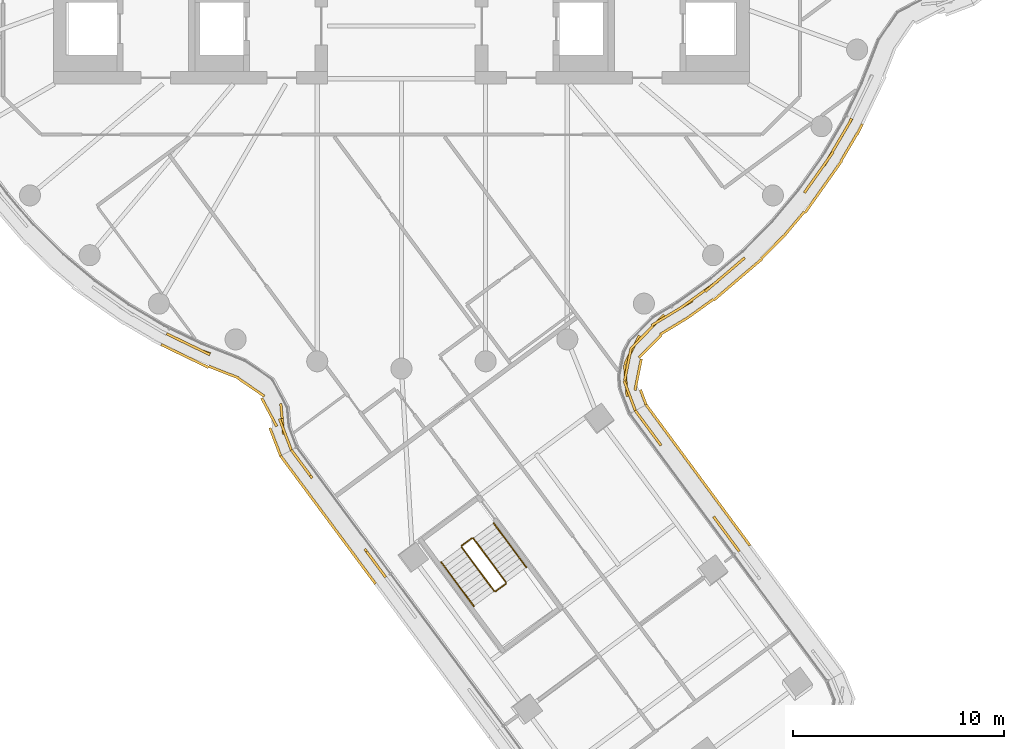
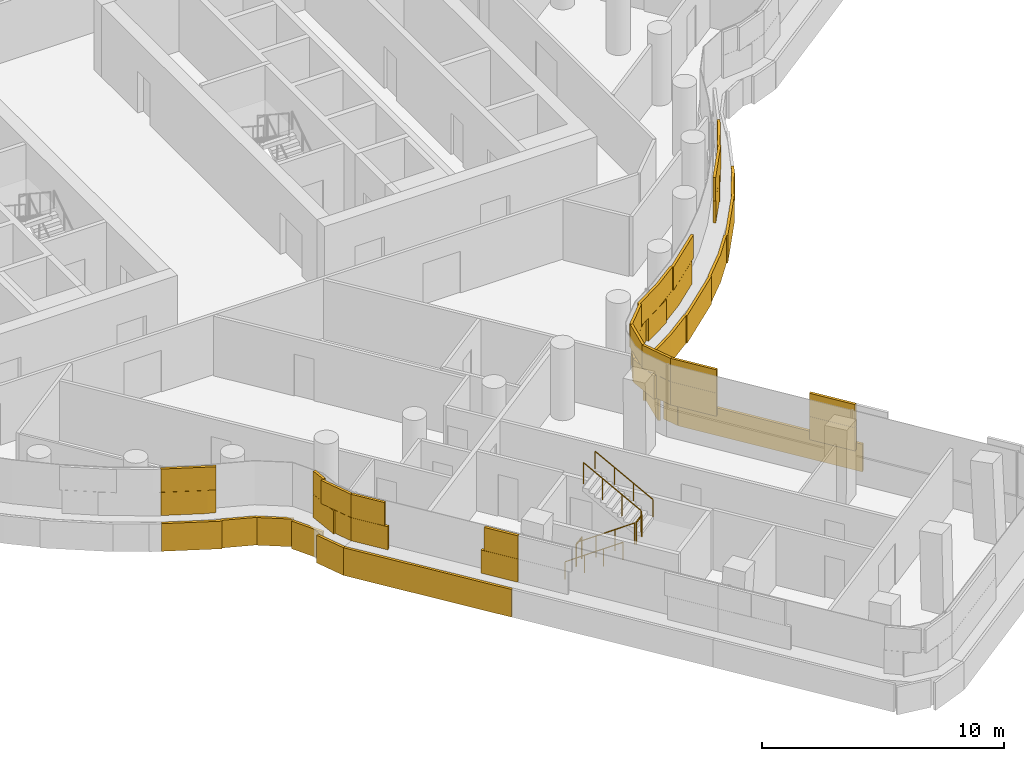
# One storey, part 27 of 32: 6 railings, 4 coverings.
"""IFC4 building model written with IfcOpenShell, lengths in metres."""

from ifc_helpers import new_model, si_unit, direction, frame, origin, origin_2d, place, context, subcontext, project, spatial, rectangle, circle, extrude, material, layer, layer_set, type_object, element, save


model = new_model("IFC4")

# Units and contexts
model_context = context("Model", 3, precision=1e-05, world=origin(), true_north=direction((0.0, 1.0)))
body_context = subcontext(model_context, "Body", "Model", "MODEL_VIEW")
ifc_project = project(units=[si_unit("LENGTHUNIT", "METRE"), si_unit("AREAUNIT", "SQUARE_METRE"), si_unit("VOLUMEUNIT", "CUBIC_METRE"), si_unit("PLANEANGLEUNIT", "RADIAN"), si_unit("MASSUNIT", "GRAM", prefix="KILO")], contexts=[model_context])

# Site, building, storey
site_placement = place(None, origin())
site = spatial("IfcSite", under=ifc_project, at=site_placement, CompositionType="ELEMENT")
building_placement = place(site_placement, origin())
building = spatial("IfcBuilding", under=site, at=building_placement, Name="Tamarind Cross Interchange Tower", CompositionType="ELEMENT")
storey_placement = place(building_placement, frame((0.0, 0.0, 166.75)))
storey = spatial("IfcBuildingStorey", under=building, at=storey_placement, Name="L41", CompositionType="ELEMENT", Elevation=166.75)

# Railings
ifc_material_1 = material(Name="Stair guard")
railing_type_1 = type_object("IfcRailingType", Name="Stair guard", PredefinedType="GUARDRAIL", material=ifc_material_1)
railing_1_placement = place(storey_placement, frame((2.85009765625, -31.465087890625, 0.17041015625)))
element("IfcRailing", 1, at=railing_1_placement, inside=storey, type_object=railing_type_1, Name="L41 ST6 stair guard 1", PredefinedType="GUARDRAIL", context=body_context, shape_type="SweptSolid", body=[
    extrude(circle(Radius=0.02392578125, at=origin_2d()), frame((0.0, 0.0, 1.076171875), z_axis=(0.498262505957, -0.671653146328, 0.548285077477), x_axis=(0.803132814244, 0.595800035821, 0.0)), (0.0, 0.0, 1.0), 3.10888671875),
    extrude(circle(Radius=0.02099609375, at=origin_2d()), origin(), (0.0, 0.0, 1.0), 1.052001953125),
    extrude(circle(Radius=0.02099609375, at=origin_2d()), frame((0.516357421875, -0.696044921875, 0.568115234375)), (0.0, 0.0, 1.0), 1.052001953125),
    extrude(circle(Radius=0.02099609375, at=origin_2d()), frame((1.03271484375, -1.39208984375, 1.136474609375)), (0.0, 0.0, 1.0), 1.052001953125),
    extrude(circle(Radius=0.02099609375, at=origin_2d()), frame((1.549072265625, -2.088134765625, 1.70458984375)), (0.0, 0.0, 1.0), 1.052001953125),
])
railing_2_placement = place(storey_placement, frame((4.46923828125, -33.563720703125, 1.875)))
element("IfcRailing", 2, at=railing_2_placement, inside=storey, type_object=railing_type_1, Name="L41 ST6 stair guard 2", PredefinedType="GUARDRAIL", context=body_context, shape_type="SweptSolid", body=[
    extrude(circle(Radius=0.02392578125, at=origin_2d()), frame((0.0, 0.0, 1.076171875), z_axis=(0.80306661219, 0.595889265204, 0.0), x_axis=(-0.595889265204, 0.80306661219, 0.0)), (0.0, 0.0, 1.0), 0.599853515625),
    extrude(circle(Radius=0.02099609375, at=origin_2d()), origin(), (0.0, 0.0, 1.0), 1.052001953125),
    extrude(circle(Radius=0.02099609375, at=origin_2d()), frame((0.481689453125, 0.357421875, 0.0)), (0.0, 0.0, 1.0), 1.052001953125),
])
railing_3_placement = place(storey_placement, frame((4.96142578125, -33.13623046875, 2.04541015625)))
element("IfcRailing", 3, at=railing_3_placement, inside=storey, type_object=railing_type_1, Name="L41 ST6 stair guard 3", PredefinedType="GUARDRAIL", context=body_context, shape_type="SweptSolid", body=[
    extrude(circle(Radius=0.02392578125, at=origin_2d()), frame((0.0, 0.0, 1.076171875), z_axis=(-0.498262505957, 0.671653146328, 0.548285077477), x_axis=(-0.803132814244, -0.595800035821, 0.0)), (0.0, 0.0, 1.0), 3.10888671875),
    extrude(circle(Radius=0.02099609375, at=origin_2d()), origin(), (0.0, 0.0, 1.0), 1.052001953125),
    extrude(circle(Radius=0.02099609375, at=origin_2d()), frame((-0.516357421875, 0.696044921875, 0.568115234375)), (0.0, 0.0, 1.0), 1.052001953125),
    extrude(circle(Radius=0.02099609375, at=origin_2d()), frame((-1.03271484375, 1.39208984375, 1.136474609375)), (0.0, 0.0, 1.0), 1.052001953125),
    extrude(circle(Radius=0.02099609375, at=origin_2d()), frame((-1.549072265625, 2.088134765625, 1.70458984375)), (0.0, 0.0, 1.0), 1.052001953125),
])
railing_4_placement = place(storey_placement, frame((2.860595703125, -31.395263671875, 0.0)))
element("IfcRailing", 4, at=railing_4_placement, inside=storey, type_object=railing_type_1, Name="L41 ST6 stair guard 4", PredefinedType="GUARDRAIL", context=body_context, shape_type="SweptSolid", body=[
    extrude(circle(Radius=0.02392578125, at=origin_2d()), frame((0.0, 0.0, 1.076171875), z_axis=(0.803211070557, 0.595694532571, 0.0), x_axis=(-0.595694532571, 0.803211070557, 0.0)), (0.0, 0.0, 1.0), 0.60009765625),
    extrude(circle(Radius=0.02099609375, at=origin_2d()), origin(), (0.0, 0.0, 1.0), 1.052001953125),
    extrude(circle(Radius=0.02099609375, at=origin_2d()), frame((0.48193359375, 0.357421875, 0.0)), (0.0, 0.0, 1.0), 1.052001953125),
])
ifc_material_2 = material(Name="Stair handrail")
railing_type_2 = type_object("IfcRailingType", Name="Stair handrail", PredefinedType="HANDRAIL", material=ifc_material_2)
railing_5_placement = place(storey_placement, frame((1.886474609375, -32.18017578125, 0.17041015625)))
element("IfcRailing", 5, at=railing_5_placement, inside=storey, type_object=railing_type_2, Name="L41 ST6 stair handrail 1", PredefinedType="HANDRAIL", context=body_context, shape_type="SweptSolid", body=[
    extrude(circle(Radius=0.02392578125, at=origin_2d()), frame((0.0, 0.0, 0.8759765625), z_axis=(0.49820347001, -0.671679426071, 0.548306530203), x_axis=(0.803177746582, 0.595739462681, 0.0)), (0.0, 0.0, 1.0), 3.10888671875),
    extrude(circle(Radius=0.02099609375, at=origin_2d()), origin(), (0.0, 0.0, 1.0), 0.851806640625),
    extrude(circle(Radius=0.02099609375, at=origin_2d()), frame((0.516357421875, -0.696044921875, 0.568115234375)), (0.0, 0.0, 1.0), 0.851806640625),
    extrude(circle(Radius=0.02099609375, at=origin_2d()), frame((1.032470703125, -1.39208984375, 1.136474609375)), (0.0, 0.0, 1.0), 0.851806640625),
    extrude(circle(Radius=0.02099609375, at=origin_2d()), frame((1.548828125, -2.088134765625, 1.70458984375)), (0.0, 0.0, 1.0), 0.851806640625),
])
railing_6_placement = place(storey_placement, frame((5.92529296875, -32.42138671875, 2.04541015625)))
element("IfcRailing", 6, at=railing_6_placement, inside=storey, type_object=railing_type_2, Name="L41 ST6 stair handrail 2", PredefinedType="HANDRAIL", context=body_context, shape_type="SweptSolid", body=[
    extrude(circle(Radius=0.02392578125, at=origin_2d()), frame((0.0, 0.0, 0.8759765625), z_axis=(-0.498262505957, 0.671653146328, 0.548285077477), x_axis=(-0.803132814244, -0.595800035821, 0.0)), (0.0, 0.0, 1.0), 3.10888671875),
    extrude(circle(Radius=0.02099609375, at=origin_2d()), origin(), (0.0, 0.0, 1.0), 0.851806640625),
    extrude(circle(Radius=0.02099609375, at=origin_2d()), frame((-0.516357421875, 0.696044921875, 0.568115234375)), (0.0, 0.0, 1.0), 0.851806640625),
    extrude(circle(Radius=0.02099609375, at=origin_2d()), frame((-1.03271484375, 1.39208984375, 1.136474609375)), (0.0, 0.0, 1.0), 0.851806640625),
    extrude(circle(Radius=0.02099609375, at=origin_2d()), frame((-1.549072265625, 2.088134765625, 1.70458984375)), (0.0, 0.0, 1.0), 0.851806640625),
])

# Coverings
ifc_material_3 = material(Name="Terracotta", Category="masonry")
ifc_layer = layer(ifc_material_3, 0.1201171875)
ifc_layer_set = layer_set([ifc_layer], Name="Terracotta")
covering_type = type_object("IfcCoveringType", Name="Terracotta baguette screen unit", PredefinedType="MOLDING", material=ifc_layer_set)
covering_1_placement = place(storey_placement, origin())
element("IfcCovering", 7, at=covering_1_placement, inside=storey, type_object=covering_type, Name="SCR-L41-10-01", PredefinedType="MOLDING", context=body_context, shape_type="SweptSolid", body=[
    extrude(rectangle(XDim=0.433349609375, YDim=0.1201171875, at=origin_2d()), frame((-10.941650390625, -21.4404296875, 1.404052734375), z_axis=(0.0, 0.0, 1.0), x_axis=(0.900272776334, -0.435326231914, 0.0)), (0.0, 0.0, 1.0), 1.1669921875),
    extrude(rectangle(XDim=1.52001953125, YDim=0.1201171875, at=origin_2d()), frame((-10.075927734375, -21.859130859375, 1.404052734375), z_axis=(0.0, 0.0, 1.0), x_axis=(0.900272776334, -0.435326231914, 0.0)), (0.0, 0.0, 1.0), 1.1669921875),
    extrude(rectangle(XDim=0.3603515625, YDim=0.1201171875, at=origin_2d()), frame((-9.2314453125, -22.2353515625, 1.404052734375), z_axis=(0.0, 0.0, 1.0), x_axis=(0.931067722103, -0.364846401733, 0.0)), (0.0, 0.0, 1.0), 1.1669921875),
    extrude(rectangle(XDim=1.45947265625, YDim=0.1201171875, at=origin_2d()), frame((-5.656005859375, -25.38720703125, 1.404052734375), z_axis=(0.0, 0.0, 1.0), x_axis=(0.090809442771, -0.995868287026, 0.0)), (0.0, 0.0, 1.0), 1.1669921875),
    extrude(rectangle(XDim=0.834228515625, YDim=0.1201171875, at=origin_2d()), frame((-5.368408203125, -26.4765625, 1.404052734375), z_axis=(0.0, 0.0, 1.0), x_axis=(0.35656006872, -0.934272399996, 0.0)), (0.0, 0.0, 1.0), 1.1669921875),
    extrude(rectangle(XDim=1.183349609375, YDim=0.1201171875, at=origin_2d()), frame((-10.60400390625, -21.603759765625, 2.5791015625), z_axis=(0.0, 0.0, 1.0), x_axis=(0.900272776334, -0.435326231914, 0.0)), (0.0, 0.0, 1.0), 1.1669921875),
    extrude(rectangle(XDim=1.1103515625, YDim=0.1201171875, at=origin_2d()), frame((-9.58056640625, -22.0986328125, 2.5791015625), z_axis=(0.0, 0.0, 1.0), x_axis=(0.900272776334, -0.435326231914, 0.0)), (0.0, 0.0, 1.0), 1.1669921875),
    extrude(rectangle(XDim=0.70947265625, YDim=0.1201171875, at=origin_2d()), frame((-5.68994140625, -25.013671875, 2.5791015625), z_axis=(0.0, 0.0, 1.0), x_axis=(0.090809442771, -0.995868287026, 0.0)), (0.0, 0.0, 1.0), 1.1669921875),
    extrude(rectangle(XDim=1.52001953125, YDim=0.1201171875, at=origin_2d()), frame((-5.515380859375, -26.091552734375, 2.5791015625), z_axis=(0.0, 0.0, 1.0), x_axis=(0.35656006872, -0.934272399996, 0.0)), (0.0, 0.0, 1.0), 1.1669921875),
    extrude(rectangle(XDim=0.084228515625, YDim=0.1201171875, at=origin_2d()), frame((-5.234619140625, -26.826904296875, 2.5791015625), z_axis=(0.0, 0.0, 1.0), x_axis=(0.35656006872, -0.934272399996, 0.0)), (0.0, 0.0, 1.0), 1.1669921875),
    extrude(rectangle(XDim=1.000732421875, YDim=0.1201171875, at=origin_2d()), frame((-10.947509765625, -22.0751953125, 0.00390625), z_axis=(0.0, 0.0, 1.0), x_axis=(0.900272776334, -0.435326231914, 0.0)), (0.0, 0.0, 1.0), 1.39208984375),
    extrude(rectangle(XDim=1.52001953125, YDim=0.1201171875, at=origin_2d()), frame((-9.830810546875, -22.615234375, 0.00390625), z_axis=(0.0, 0.0, 1.0), x_axis=(0.900272776334, -0.435326231914, 0.0)), (0.0, 0.0, 1.0), 1.39208984375),
    extrude(rectangle(XDim=1.52001953125, YDim=0.1201171875, at=origin_2d()), frame((-8.434814453125, -23.1640625, 0.00390625), z_axis=(0.0, 0.0, 1.0), x_axis=(0.931067722103, -0.364846401733, 0.0)), (0.0, 0.0, 1.0), 1.39208984375),
    extrude(rectangle(XDim=1.52001953125, YDim=0.1201171875, at=origin_2d()), frame((-7.127685546875, -23.880126953125, 0.00390625), z_axis=(0.0, 0.0, 1.0), x_axis=(0.825321175253, -0.564663579204, 0.0)), (0.0, 0.0, 1.0), 1.39208984375),
    extrude(rectangle(XDim=1.52001953125, YDim=0.1201171875, at=origin_2d()), frame((-6.27099609375, -25.068115234375, 0.00390625), z_axis=(0.0, 0.0, 1.0), x_axis=(0.469143192596, -0.883122112078, 0.0)), (0.0, 0.0, 1.0), 1.39208984375),
    extrude(rectangle(XDim=1.421630859375, YDim=0.1201171875, at=origin_2d()), frame((-5.98291015625, -26.47607421875, 0.00390625), z_axis=(0.0, 0.0, 1.0), x_axis=(0.35656006872, -0.934272399996, 0.0)), (0.0, 0.0, 1.0), 1.39208984375),
])
covering_2_placement = place(storey_placement, origin())
element("IfcCovering", 8, at=covering_2_placement, inside=storey, type_object=covering_type, Name="SCR-L41-11-00", PredefinedType="MOLDING", context=body_context, shape_type="SweptSolid", body=[
    extrude(rectangle(XDim=0.760009765625, YDim=0.1201171875, at=origin_2d()), frame((-4.998046875, -27.162841796875, 1.404052734375), z_axis=(0.0, 0.0, 1.0), x_axis=(0.595776404136, -0.803150344752, 0.0)), (0.0, 0.0, 1.0), 1.1669921875),
    extrude(rectangle(XDim=0.91064453125, YDim=0.1201171875, at=origin_2d()), frame((-4.50634765625, -27.82568359375, 1.404052734375), z_axis=(0.0, 0.0, 1.0), x_axis=(0.595776404136, -0.803150344752, 0.0)), (0.0, 0.0, 1.0), 1.1669921875),
    extrude(rectangle(XDim=0.909423828125, YDim=0.1201171875, at=origin_2d()), frame((-1.4677734375, -31.921630859375, 1.404052734375), z_axis=(0.0, 0.0, 1.0), x_axis=(0.595776404136, -0.803150344752, 0.0)), (0.0, 0.0, 1.0), 1.1669921875),
    extrude(rectangle(XDim=0.761474609375, YDim=0.1201171875, at=origin_2d()), frame((-0.97607421875, -32.584716796875, 1.404052734375), z_axis=(0.0, 0.0, 1.0), x_axis=(0.595776404136, -0.803150344752, 0.0)), (0.0, 0.0, 1.0), 1.1669921875),
    extrude(rectangle(XDim=1.510009765625, YDim=0.1201171875, at=origin_2d()), frame((-4.774658203125, -27.4638671875, 2.5791015625), z_axis=(0.0, 0.0, 1.0), x_axis=(0.595776404136, -0.803150344752, 0.0)), (0.0, 0.0, 1.0), 1.1669921875),
    extrude(rectangle(XDim=1.52001953125, YDim=0.1201171875, at=origin_2d()), frame((-1.199951171875, -32.282958984375, 2.5791015625), z_axis=(0.0, 0.0, 1.0), x_axis=(0.595776404136, -0.803150344752, 0.0)), (0.0, 0.0, 1.0), 1.1669921875),
    extrude(rectangle(XDim=0.760009765625, YDim=0.1201171875, at=origin_2d()), frame((-5.503173828125, -27.4453125, 0.00390625), z_axis=(0.0, 0.0, 1.0), x_axis=(0.595776404136, -0.803150344752, 0.0)), (0.0, 0.0, 1.0), 1.39208984375),
    extrude(rectangle(XDim=1.52001953125, YDim=0.1201171875, at=origin_2d()), frame((-4.8359375, -28.3447265625, 0.00390625), z_axis=(0.0, 0.0, 1.0), x_axis=(0.595776404136, -0.803150344752, 0.0)), (0.0, 0.0, 1.0), 1.39208984375),
    extrude(rectangle(XDim=1.52001953125, YDim=0.1201171875, at=origin_2d()), frame((-3.942138671875, -29.549560546875, 0.00390625), z_axis=(0.0, 0.0, 1.0), x_axis=(0.595776404136, -0.803150344752, 0.0)), (0.0, 0.0, 1.0), 1.39208984375),
    extrude(rectangle(XDim=1.52001953125, YDim=0.1201171875, at=origin_2d()), frame((-3.048583984375, -30.75439453125, 0.00390625), z_axis=(0.0, 0.0, 1.0), x_axis=(0.595776404136, -0.803150344752, 0.0)), (0.0, 0.0, 1.0), 1.39208984375),
    extrude(rectangle(XDim=1.52001953125, YDim=0.1201171875, at=origin_2d()), frame((-2.15478515625, -31.958984375, 0.00390625), z_axis=(0.0, 0.0, 1.0), x_axis=(0.595776404136, -0.803150344752, 0.0)), (0.0, 0.0, 1.0), 1.39208984375),
    extrude(rectangle(XDim=0.809814453125, YDim=0.1201171875, at=origin_2d()), frame((-1.47265625, -32.87841796875, 0.00390625), z_axis=(0.0, 0.0, 1.0), x_axis=(0.595776404136, -0.803150344752, 0.0)), (0.0, 0.0, 1.0), 1.39208984375),
])
covering_3_placement = place(storey_placement, origin())
element("IfcCovering", 9, at=covering_3_placement, inside=storey, type_object=covering_type, Name="SCR-L41-13-01", PredefinedType="MOLDING", context=body_context, shape_type="SweptSolid", body=[
    extrude(rectangle(XDim=0.79931640625, YDim=0.1201171875, at=origin_2d()), frame((15.788818359375, -31.35205078125, 1.404052734375), z_axis=(0.0, 0.0, 1.0), x_axis=(-0.593819308082, 0.804598427384, 0.0)), (0.0, 0.0, 1.0), 1.1669921875),
    extrude(rectangle(XDim=1.270751953125, YDim=0.1201171875, at=origin_2d()), frame((15.18017578125, -30.52734375, 1.404052734375), z_axis=(0.0, 0.0, 1.0), x_axis=(-0.593819308082, 0.804598427384, 0.0)), (0.0, 0.0, 1.0), 1.1669921875),
    extrude(rectangle(XDim=0.549072265625, YDim=0.1201171875, at=origin_2d()), frame((12.151611328125, -26.423828125, 1.404052734375), z_axis=(0.0, 0.0, 1.0), x_axis=(-0.593819308082, 0.804598427384, 0.0)), (0.0, 0.0, 1.0), 1.1669921875),
    extrude(rectangle(XDim=1.52001953125, YDim=0.1201171875, at=origin_2d()), frame((11.546142578125, -25.603515625, 1.404052734375), z_axis=(0.0, 0.0, 1.0), x_axis=(-0.593819308082, 0.804598427384, 0.0)), (0.0, 0.0, 1.0), 1.1669921875),
    extrude(rectangle(XDim=0.04931640625, YDim=0.1201171875, at=origin_2d()), frame((16.011474609375, -31.65380859375, 2.5791015625), z_axis=(0.0, 0.0, 1.0), x_axis=(-0.593819308082, 0.804598427384, 0.0)), (0.0, 0.0, 1.0), 1.1669921875),
    extrude(rectangle(XDim=1.52001953125, YDim=0.1201171875, at=origin_2d()), frame((15.554443359375, -31.03466796875, 2.5791015625), z_axis=(0.0, 0.0, 1.0), x_axis=(-0.593819308082, 0.804598427384, 0.0)), (0.0, 0.0, 1.0), 1.1669921875),
    extrude(rectangle(XDim=0.520751953125, YDim=0.1201171875, at=origin_2d()), frame((14.95751953125, -30.2255859375, 2.5791015625), z_axis=(0.0, 0.0, 1.0), x_axis=(-0.593819308082, 0.804598427384, 0.0)), (0.0, 0.0, 1.0), 1.1669921875),
    extrude(rectangle(XDim=1.299072265625, YDim=0.1201171875, at=origin_2d()), frame((11.928955078125, -26.1220703125, 2.5791015625), z_axis=(0.0, 0.0, 1.0), x_axis=(-0.593819308082, 0.804598427384, 0.0)), (0.0, 0.0, 1.0), 1.1669921875),
    extrude(rectangle(XDim=0.77099609375, YDim=0.1201171875, at=origin_2d()), frame((11.3203125, -25.29736328125, 2.5791015625), z_axis=(0.0, 0.0, 1.0), x_axis=(-0.593819308082, 0.804598427384, 0.0)), (0.0, 0.0, 1.0), 1.1669921875),
    extrude(rectangle(XDim=0.801513671875, YDim=0.1201171875, at=origin_2d()), frame((16.29296875, -31.068359375, 0.00390625), z_axis=(0.0, 0.0, 1.0), x_axis=(-0.593819308082, 0.804598427384, 0.0)), (0.0, 0.0, 1.0), 1.39208984375),
    extrude(rectangle(XDim=1.52001953125, YDim=0.1201171875, at=origin_2d()), frame((15.615478515625, -30.150390625, 0.00390625), z_axis=(0.0, 0.0, 1.0), x_axis=(-0.593819308082, 0.804598427384, 0.0)), (0.0, 0.0, 1.0), 1.39208984375),
    extrude(rectangle(XDim=1.52001953125, YDim=0.1201171875, at=origin_2d()), frame((14.724609375, -28.943603515625, 0.00390625), z_axis=(0.0, 0.0, 1.0), x_axis=(-0.593819308082, 0.804598427384, 0.0)), (0.0, 0.0, 1.0), 1.39208984375),
    extrude(rectangle(XDim=1.52001953125, YDim=0.1201171875, at=origin_2d()), frame((13.833984375, -27.736572265625, 0.00390625), z_axis=(0.0, 0.0, 1.0), x_axis=(-0.593819308082, 0.804598427384, 0.0)), (0.0, 0.0, 1.0), 1.39208984375),
    extrude(rectangle(XDim=1.52001953125, YDim=0.1201171875, at=origin_2d()), frame((12.943359375, -26.52978515625, 0.00390625), z_axis=(0.0, 0.0, 1.0), x_axis=(-0.593819308082, 0.804598427384, 0.0)), (0.0, 0.0, 1.0), 1.39208984375),
    extrude(rectangle(XDim=1.52001953125, YDim=0.1201171875, at=origin_2d()), frame((12.052490234375, -25.322998046875, 0.00390625), z_axis=(0.0, 0.0, 1.0), x_axis=(-0.593819308082, 0.804598427384, 0.0)), (0.0, 0.0, 1.0), 1.39208984375),
])
covering_4_placement = place(storey_placement, origin())
element("IfcCovering", 10, at=covering_4_placement, inside=storey, type_object=covering_type, Name="SCR-L41-14-00", PredefinedType="MOLDING", context=body_context, shape_type="SweptSolid", body=[
    extrude(rectangle(XDim=0.760009765625, YDim=0.1201171875, at=origin_2d()), frame((10.96240234375, -24.64013671875, 1.404052734375), z_axis=(0.0, 0.0, 1.0), x_axis=(-0.351921900622, 0.936029366987, 0.0)), (0.0, 0.0, 1.0), 1.1669921875),
    extrude(rectangle(XDim=1.52001953125, YDim=0.1201171875, at=origin_2d()), frame((10.646484375, -23.5693359375, 1.404052734375), z_axis=(0.0, 0.0, 1.0), x_axis=(-0.080926527852, 0.996720069573, 0.0)), (0.0, 0.0, 1.0), 1.1669921875),
    extrude(rectangle(XDim=1.52001953125, YDim=0.1201171875, at=origin_2d()), frame((10.93701171875, -22.11474609375, 1.404052734375), z_axis=(0.0, 0.0, 1.0), x_axis=(0.458406830491, 0.888742469875, 0.0)), (0.0, 0.0, 1.0), 1.1669921875),
    extrude(rectangle(XDim=1.52001953125, YDim=0.1201171875, at=origin_2d()), frame((11.919677734375, -20.99609375, 1.404052734375), z_axis=(0.0, 0.0, 1.0), x_axis=(0.703508027879, 0.710687311487, 0.0)), (0.0, 0.0, 1.0), 1.1669921875),
    extrude(rectangle(XDim=1.52001953125, YDim=0.1201171875, at=origin_2d()), frame((13.16162109375, -20.1669921875, 1.404052734375), z_axis=(0.0, 0.0, 1.0), x_axis=(0.855795607835, 0.517314099566, 0.0)), (0.0, 0.0, 1.0), 1.1669921875),
    extrude(rectangle(XDim=1.52001953125, YDim=0.1201171875, at=origin_2d()), frame((14.3837890625, -19.2978515625, 1.404052734375), z_axis=(0.0, 0.0, 1.0), x_axis=(0.811340475102, 0.584573890505, 0.0)), (0.0, 0.0, 1.0), 1.1669921875),
    extrude(rectangle(XDim=1.52001953125, YDim=0.1201171875, at=origin_2d()), frame((15.55517578125, -18.36279296875, 1.404052734375), z_axis=(0.0, 0.0, 1.0), x_axis=(0.760295606781, 0.64957723968, 0.0)), (0.0, 0.0, 1.0), 1.1669921875),
    extrude(rectangle(XDim=1.52001953125, YDim=0.1201171875, at=origin_2d()), frame((19.60302734375, -13.959716796875, 1.404052734375), z_axis=(0.0, 0.0, 1.0), x_axis=(0.577568978284, 0.816341886298, 0.0)), (0.0, 0.0, 1.0), 1.1669921875),
    extrude(rectangle(XDim=1.52001953125, YDim=0.1201171875, at=origin_2d()), frame((20.439453125, -12.7158203125, 1.404052734375), z_axis=(0.0, 0.0, 1.0), x_axis=(0.508183308752, 0.861248933065, 0.0)), (0.0, 0.0, 1.0), 1.1669921875),
    extrude(rectangle(XDim=1.086669921875, YDim=0.1201171875, at=origin_2d()), frame((21.09423828125, -11.606201171875, 1.404052734375), z_axis=(0.0, 0.0, 1.0), x_axis=(0.508183308752, 0.861248933065, 0.0)), (0.0, 0.0, 1.0), 1.1669921875),
    extrude(rectangle(XDim=1.510009765625, YDim=0.1201171875, at=origin_2d()), frame((10.830322265625, -24.2890625, 2.5791015625), z_axis=(0.0, 0.0, 1.0), x_axis=(-0.351921900622, 0.936029366987, 0.0)), (0.0, 0.0, 1.0), 1.1669921875),
    extrude(rectangle(XDim=1.52001953125, YDim=0.1201171875, at=origin_2d()), frame((10.73291015625, -22.830322265625, 2.5791015625), z_axis=(0.0, 0.0, 1.0), x_axis=(0.196310048722, 0.980541873033, 0.0)), (0.0, 0.0, 1.0), 1.1669921875),
    extrude(rectangle(XDim=1.52001953125, YDim=0.1201171875, at=origin_2d()), frame((11.39208984375, -21.529052734375, 2.5791015625), z_axis=(0.0, 0.0, 1.0), x_axis=(0.703508027879, 0.710687311487, 0.0)), (0.0, 0.0, 1.0), 1.1669921875),
    extrude(rectangle(XDim=1.52001953125, YDim=0.1201171875, at=origin_2d()), frame((12.519775390625, -20.554931640625, 2.5791015625), z_axis=(0.0, 0.0, 1.0), x_axis=(0.855795607835, 0.517314099566, 0.0)), (0.0, 0.0, 1.0), 1.1669921875),
    extrude(rectangle(XDim=1.52001953125, YDim=0.1201171875, at=origin_2d()), frame((13.775146484375, -19.736328125, 2.5791015625), z_axis=(0.0, 0.0, 1.0), x_axis=(0.811340475102, 0.584573890505, 0.0)), (0.0, 0.0, 1.0), 1.1669921875),
    extrude(rectangle(XDim=1.52001953125, YDim=0.1201171875, at=origin_2d()), frame((14.98486328125, -18.85009765625, 2.5791015625), z_axis=(0.0, 0.0, 1.0), x_axis=(0.760295606781, 0.64957723968, 0.0)), (0.0, 0.0, 1.0), 1.1669921875),
    extrude(rectangle(XDim=0.960693359375, YDim=0.1201171875, at=origin_2d()), frame((15.91650390625, -18.05419921875, 2.5791015625), z_axis=(0.0, 0.0, 1.0), x_axis=(0.760295606781, 0.64957723968, 0.0)), (0.0, 0.0, 1.0), 1.1669921875),
    extrude(rectangle(XDim=0.859375, YDim=0.1201171875, at=origin_2d()), frame((19.357666015625, -14.306396484375, 2.5791015625), z_axis=(0.0, 0.0, 1.0), x_axis=(0.577568978284, 0.816341886298, 0.0)), (0.0, 0.0, 1.0), 1.1669921875),
    extrude(rectangle(XDim=1.52001953125, YDim=0.1201171875, at=origin_2d()), frame((20.0361328125, -13.347412109375, 2.5791015625), z_axis=(0.0, 0.0, 1.0), x_axis=(0.577568978284, 0.816341886298, 0.0)), (0.0, 0.0, 1.0), 1.1669921875),
    extrude(rectangle(XDim=1.52001953125, YDim=0.1201171875, at=origin_2d()), frame((20.820556640625, -12.06982421875, 2.5791015625), z_axis=(0.0, 0.0, 1.0), x_axis=(0.508183308752, 0.861248933065, 0.0)), (0.0, 0.0, 1.0), 1.1669921875),
    extrude(rectangle(XDim=0.336669921875, YDim=0.1201171875, at=origin_2d()), frame((21.277099609375, -11.279296875, 2.5791015625), z_axis=(0.0, 0.0, 1.0), x_axis=(0.435326231914, 0.900272776334, 0.0)), (0.0, 0.0, 1.0), 1.1669921875),
    extrude(rectangle(XDim=0.760009765625, YDim=0.1201171875, at=origin_2d()), frame((11.4697265625, -24.35888671875, 0.00390625), z_axis=(0.0, 0.0, 1.0), x_axis=(-0.351921900622, 0.936029366987, 0.0)), (0.0, 0.0, 1.0), 1.39208984375),
    extrude(rectangle(XDim=1.52001953125, YDim=0.1201171875, at=origin_2d()), frame((11.227294921875, -23.284423828125, 0.00390625), z_axis=(0.0, 0.0, 1.0), x_axis=(0.196310048722, 0.980541873033, 0.0)), (0.0, 0.0, 1.0), 1.39208984375),
    extrude(rectangle(XDim=1.52001953125, YDim=0.1201171875, at=origin_2d()), frame((11.7919921875, -21.941162109375, 0.00390625), z_axis=(0.0, 0.0, 1.0), x_axis=(0.703508027879, 0.710687311487, 0.0)), (0.0, 0.0, 1.0), 1.39208984375),
    extrude(rectangle(XDim=1.52001953125, YDim=0.1201171875, at=origin_2d()), frame((12.9287109375, -20.978271484375, 0.00390625), z_axis=(0.0, 0.0, 1.0), x_axis=(0.855795607835, 0.517314099566, 0.0)), (0.0, 0.0, 1.0), 1.39208984375),
    extrude(rectangle(XDim=1.52001953125, YDim=0.1201171875, at=origin_2d()), frame((14.179443359375, -20.152587890625, 0.00390625), z_axis=(0.0, 0.0, 1.0), x_axis=(0.811340475102, 0.584573890505, 0.0)), (0.0, 0.0, 1.0), 1.39208984375),
    extrude(rectangle(XDim=1.52001953125, YDim=0.1201171875, at=origin_2d()), frame((15.385986328125, -19.262451171875, 0.00390625), z_axis=(0.0, 0.0, 1.0), x_axis=(0.760295606781, 0.64957723968, 0.0)), (0.0, 0.0, 1.0), 1.39208984375),
    extrude(rectangle(XDim=1.52001953125, YDim=0.1201171875, at=origin_2d()), frame((16.5263671875, -18.2880859375, 0.00390625), z_axis=(0.0, 0.0, 1.0), x_axis=(0.760295606781, 0.64957723968, 0.0)), (0.0, 0.0, 1.0), 1.39208984375),
    extrude(rectangle(XDim=1.52001953125, YDim=0.1201171875, at=origin_2d()), frame((17.601318359375, -17.242919921875, 0.00390625), z_axis=(0.0, 0.0, 1.0), x_axis=(0.704057148523, 0.710143317658, 0.0)), (0.0, 0.0, 1.0), 1.39208984375),
    extrude(rectangle(XDim=1.52001953125, YDim=0.1201171875, at=origin_2d()), frame((18.618896484375, -16.142822265625, 0.00390625), z_axis=(0.0, 0.0, 1.0), x_axis=(0.643009266048, 0.765858396687, 0.0)), (0.0, 0.0, 1.0), 1.39208984375),
    extrude(rectangle(XDim=1.52001953125, YDim=0.1201171875, at=origin_2d()), frame((19.57763671875, -14.989501953125, 0.00390625), z_axis=(0.0, 0.0, 1.0), x_axis=(0.577568978284, 0.816341886298, 0.0)), (0.0, 0.0, 1.0), 1.39208984375),
    extrude(rectangle(XDim=1.52001953125, YDim=0.1201171875, at=origin_2d()), frame((20.444091796875, -13.764892578125, 0.00390625), z_axis=(0.0, 0.0, 1.0), x_axis=(0.577568978284, 0.816341886298, 0.0)), (0.0, 0.0, 1.0), 1.39208984375),
    extrude(rectangle(XDim=1.52001953125, YDim=0.1201171875, at=origin_2d()), frame((21.2373046875, -12.4931640625, 0.00390625), z_axis=(0.0, 0.0, 1.0), x_axis=(0.508183308752, 0.861248933065, 0.0)), (0.0, 0.0, 1.0), 1.39208984375),
    extrude(rectangle(XDim=0.519287109375, YDim=0.1201171875, at=origin_2d()), frame((21.744384765625, -11.631591796875, 0.00390625), z_axis=(0.0, 0.0, 1.0), x_axis=(0.435326231914, 0.900272776334, 0.0)), (0.0, 0.0, 1.0), 1.39208984375),
])

save(model, "model.ifc")
